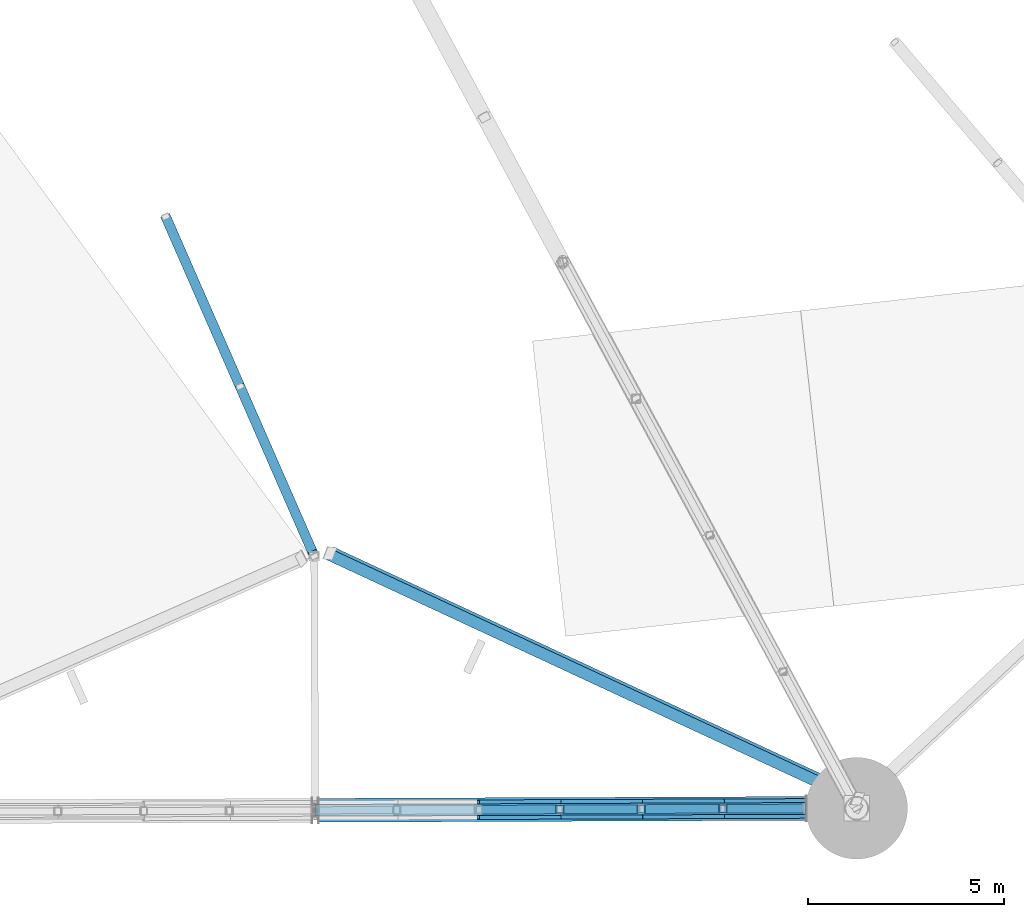
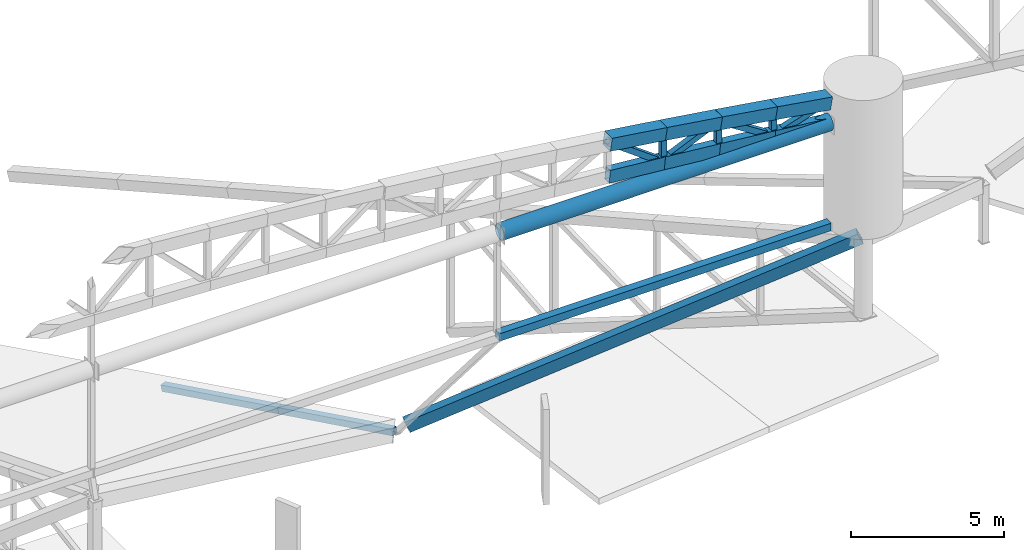
# One storey, part 41 of 188: 19 members, 1 beam.
"""IFC4 building model written with IfcOpenShell, lengths in metres."""

import ifcopenshell
import ifcopenshell.guid

model = None  # the IFC model being written
_history = None  # IfcOwnerHistory: only IFC2X3 demands one
_inside = {}  # id of a spatial element -> (the spatial element, [elements in it])
_under = {}  # id of a project, library or spatial element -> (it, [spatial elements below it])
_declared = {}  # id of a project -> (the project, [libraries it declares])
_typed = {}  # id of a type object -> (the type object, [elements of that type])
_made_of = {}  # id of a material, layer set ... -> (it, [elements and type objects made of it])


def new_model(schema):
    """Start an empty IFC model of exactly this schema.

    Asked for "IFC4X3", IfcOpenShell would pick the latest addendum, in which some entities
    have other attributes; the version numbers below select the first issue.
    IFC2X3 requires an IfcOwnerHistory on every rooted entity: one is made here for all.
    """
    global model, _history
    if schema == "IFC4X3":
        model = ifcopenshell.file(schema_version=(4, 3, 0, 0))
    else:
        model = ifcopenshell.file(schema=schema)
    _inside.clear()
    _under.clear()
    _declared.clear()
    _typed.clear()
    _made_of.clear()
    _history = None
    if model.schema == "IFC2X3":
        org = make("IfcOrganization", Name="unknown")
        user = make(
            "IfcPersonAndOrganization",
            ThePerson=make("IfcPerson", FamilyName="unknown"),
            TheOrganization=org,
        )
        app = make(
            "IfcApplication",
            ApplicationDeveloper=org,
            Version="unknown",
            ApplicationFullName="unknown",
            ApplicationIdentifier="unknown",
        )
        _history = make(
            "IfcOwnerHistory",
            OwningUser=user,
            OwningApplication=app,
            ChangeAction="ADDED",
            CreationDate=0,
        )
    return model


def make(cls, **values):
    """One entity of the class cls with the attributes given. An attribute that is None is left unset."""
    return model.create_entity(
        cls, **{name: value for name, value in values.items() if value is not None}
    )


def rooted(cls, **values):
    """An entity with a GlobalId (a new one), such as an element, a storey or a relation."""
    return make(cls, GlobalId=ifcopenshell.guid.new(), OwnerHistory=_history, **values)


def si_unit(unit_type, name, prefix=None):
    """IfcSIUnit, for example si_unit("LENGTHUNIT", "METRE", prefix="MILLI")."""
    return make("IfcSIUnit", UnitType=unit_type, Prefix=prefix, Name=name)


def assignment(units):
    """IfcUnitAssignment: the units of a project."""
    return None if units is None else make("IfcUnitAssignment", Units=units)


def point(xyz):
    """IfcCartesianPoint."""
    return None if xyz is None else make("IfcCartesianPoint", Coordinates=xyz)


def direction(xyz):
    """IfcDirection."""
    return None if xyz is None else make("IfcDirection", DirectionRatios=xyz)


def frame(location, z_axis=None, x_axis=None):
    """IfcAxis2Placement3D, a coordinate frame: its origin and axes. An axis left out is left unset."""
    return make(
        "IfcAxis2Placement3D",
        Location=point(location),
        Axis=direction(z_axis),
        RefDirection=direction(x_axis),
    )


def frame_2d(location, x_axis=None):
    """IfcAxis2Placement2D, a coordinate frame in the plane: its origin and x axis."""
    return make(
        "IfcAxis2Placement2D", Location=point(location), RefDirection=direction(x_axis)
    )


def origin():
    """The frame at (0, 0, 0) with its axes left unset."""
    return frame((0.0, 0.0, 0.0))


def origin_2d():
    """The frame at (0, 0) in the plane with its x axis left unset."""
    return frame_2d((0.0, 0.0))


def place(relative_to, where):
    """IfcLocalPlacement: puts the frame where relative to a parent placement (None: the world)."""
    return make(
        "IfcLocalPlacement", PlacementRelTo=relative_to, RelativePlacement=where
    )


def context(
    kind, dimensions, precision=None, world=None, true_north=None, identifier=None
):
    """IfcGeometricRepresentationContext, for example the 3D "Model" context."""
    return make(
        "IfcGeometricRepresentationContext",
        ContextIdentifier=identifier,
        ContextType=kind,
        CoordinateSpaceDimension=dimensions,
        Precision=precision,
        WorldCoordinateSystem=world,
        TrueNorth=true_north,
    )


def subcontext(parent, identifier, kind, view, scale=None):
    """IfcGeometricRepresentationSubContext, for example "Body" below "Model"."""
    return make(
        "IfcGeometricRepresentationSubContext",
        ContextIdentifier=identifier,
        ContextType=kind,
        ParentContext=parent,
        TargetScale=scale,
        TargetView=view,
    )


def project(units=None, contexts=None):
    """IfcProject with its units and contexts."""
    return rooted(
        "IfcProject",
        Name="project",
        RepresentationContexts=contexts,
        UnitsInContext=assignment(units),
    )


def spatial(cls, under=None, at=None, **own):
    """A site, building, storey or space (cls), placed at a placement, below another one or the project."""
    s = rooted(cls, ObjectPlacement=at, **own)
    if under is not None:
        _under.setdefault(under.id(), (under, []))[1].append(s)
    return s


def profile(cls, at=None, kind="AREA", **sizes):
    """A parametric profile (cls). Its sizes go by their IFC names, for example OverallWidth=200.0."""
    return make(cls, ProfileType=kind, Position=at, **sizes)


def hollow_rectangle(**sizes):
    """IfcRectangleHollowProfileDef."""
    return profile("IfcRectangleHollowProfileDef", **sizes)


def hollow_circle(**sizes):
    """IfcCircleHollowProfileDef."""
    return profile("IfcCircleHollowProfileDef", **sizes)


def extrude(swept, where, along, depth):
    """IfcExtrudedAreaSolid: the profile swept, set in the frame where, extruded along a direction by depth."""
    return make(
        "IfcExtrudedAreaSolid",
        SweptArea=swept,
        Position=where,
        ExtrudedDirection=direction(along),
        Depth=depth,
    )


def shape(context_of_items, identifier, shape_type, items):
    """IfcShapeRepresentation: the items that make up one representation, for example the "Body"."""
    return make(
        "IfcShapeRepresentation",
        ContextOfItems=context_of_items,
        RepresentationIdentifier=identifier,
        RepresentationType=shape_type,
        Items=items,
    )


def material(Name=None, Category=None):
    """IfcMaterial."""
    return make("IfcMaterial", Name=Name, Category=Category)


def material_profile(
    of_material, cross_section, Name=None, Category=None, Priority=None
):
    """IfcMaterialProfile: a cross section and its material."""
    return make(
        "IfcMaterialProfile",
        Name=Name,
        Material=of_material,
        Profile=cross_section,
        Priority=Priority,
        Category=Category,
    )


def profile_set(profiles, Name=None, composite=None):
    """IfcMaterialProfileSet."""
    return make(
        "IfcMaterialProfileSet",
        Name=Name,
        MaterialProfiles=profiles,
        CompositeProfile=composite,
    )


def made_of(thing, what):
    """Note that an element or type object is made of a material, layer set ...; save() writes the relation."""
    if what is not None:
        _made_of.setdefault(what.id(), (what, []))[1].append(thing)
    return thing


def type_object(cls, material=None, **own):
    """A type object (cls), such as IfcWallType, which elements share."""
    return made_of(rooted(cls, **own), material)


def element(
    cls,
    number,
    at=None,
    inside=None,
    cuts=None,
    type_object=None,
    material=None,
    context=None,
    identifier="Body",
    shape_type=None,
    held_by="IfcProductDefinitionShape",
    body=None,
    shapes=None,
    **own,
):
    """One element of the class cls, such as IfcWall. Its Tag is "e" and its number.

    at: its placement. inside: the storey or other place that contains it. cuts: it is an
    opening in that element (IfcRelVoidsElement). A single representation is given by context,
    identifier, shape_type and body (its items); several are given by shapes. held_by: the class
    of the entity that holds the representations. save() writes the other relations.
    """
    e = rooted(cls, Tag="e%d" % number, ObjectPlacement=at, **own)
    if body is not None:
        shapes = [shape(context, identifier, shape_type, body)]
    if shapes is not None:
        e.Representation = make(held_by, Representations=shapes)
    if inside is not None:
        _inside.setdefault(inside.id(), (inside, []))[1].append(e)
    if cuts is not None:
        rooted(
            "IfcRelVoidsElement", RelatingBuildingElement=cuts, RelatedOpeningElement=e
        )
    if type_object is not None:
        _typed.setdefault(type_object.id(), (type_object, []))[1].append(e)
    return made_of(e, material)


def aggregate(whole, parts):
    """IfcRelAggregates: a whole, such as a stair, and the parts it consists of."""
    return rooted("IfcRelAggregates", RelatingObject=whole, RelatedObjects=parts)


def save(model, path):
    """Write the relations noted so far, then the file.

    IfcRelAggregates (storeys below a building ...), IfcRelContainedInSpatialStructure (elements
    in a storey), IfcRelDefinesByType, IfcRelAssociatesMaterial and IfcRelDeclares: one each for
    every whole, place, type object, material and project.
    """
    for whole, parts in _under.values():
        aggregate(whole, parts)
    for where, things in _inside.values():
        rooted(
            "IfcRelContainedInSpatialStructure",
            RelatedElements=things,
            RelatingStructure=where,
        )
    for kind, things in _typed.values():
        rooted("IfcRelDefinesByType", RelatedObjects=things, RelatingType=kind)
    for what, things in _made_of.values():
        rooted("IfcRelAssociatesMaterial", RelatedObjects=things, RelatingMaterial=what)
    for by, libraries in _declared.values():
        rooted("IfcRelDeclares", RelatingContext=by, RelatedDefinitions=libraries)
    model.write(path)


model = new_model("IFC4")

# Units and contexts
model_context = context("Model", 3, precision=1e-05, world=origin(), true_north=direction((0.0, 1.0)))
body_context = subcontext(model_context, "Body", "Model", "MODEL_VIEW")
ifc_project = project(units=[si_unit("LENGTHUNIT", "METRE"), si_unit("AREAUNIT", "SQUARE_METRE"), si_unit("VOLUMEUNIT", "CUBIC_METRE"), si_unit("PLANEANGLEUNIT", "RADIAN"), si_unit("MASSUNIT", "GRAM", prefix="KILO")], contexts=[model_context])

# Site, building, storey
site_placement = place(None, origin())
site = spatial("IfcSite", under=ifc_project, at=site_placement, CompositionType="ELEMENT")
building_placement = place(site_placement, origin())
building = spatial("IfcBuilding", under=site, at=building_placement, Name="Meseta Stadium", CompositionType="ELEMENT")
storey_placement = place(building_placement, frame((0.0, 0.0, 30.0)))
storey = spatial("IfcBuildingStorey", under=building, at=storey_placement, Name="ROOF", CompositionType="ELEMENT", Elevation=30.0)

# Members
ifc_material_1 = material(Name="Steel S355", Category="steel")
ifc_material_profile_1 = material_profile(ifc_material_1, hollow_circle(Radius=0.304931640625, WallThickness=0.02490234375, at=origin_2d()), Name="CHS 610x25")
ifc_profile_set_1 = profile_set([ifc_material_profile_1], Name="Steel S355")
member_type_1 = type_object("IfcMemberType", Name="CHS 610x25 arch tie", PredefinedType="STRUT", material=ifc_profile_set_1)
member_1_placement = place(storey_placement, frame((38.4482421875, -105.1044921875, 15.550048828125), z_axis=(0.999992619282, 0.003842054208, 0.0), x_axis=(-0.003842054208, 0.999992619282, 0.0)))
element("IfcMember", 1, at=member_1_placement, inside=storey, type_object=member_type_1, Name="GABLE ARCH GA-S tie 06", PredefinedType="STRUT", context=body_context, shape_type="SweptSolid", body=[
    extrude(hollow_circle(Radius=0.304931640625, WallThickness=0.02490234375, at=origin_2d()), origin(), (0.0, 0.0, 1.0), 12.45458984375),
])
ifc_material_2 = material(Name="Steel S355", Category="steel")
ifc_material_profile_2 = material_profile(ifc_material_2, hollow_rectangle(XDim=0.300048828125, YDim=0.5, WallThickness=0.01611328125, at=origin_2d()), Name="RHS 500x300x16")
ifc_profile_set_2 = profile_set([ifc_material_profile_2], Name="Steel S355")
member_type_2 = type_object("IfcMemberType", Name="RHS 500x300x16 arch bottom chord", PredefinedType="CHORD", material=ifc_profile_set_2)
member_2_placement = place(storey_placement, frame((42.526611328125, -105.0888671875, 16.394775390625), z_axis=(0.995801248961, 0.003849747096, -0.091460658293), x_axis=(-0.003865950492, 0.999992527185, 0.0)))
element("IfcMember", 2, at=member_2_placement, inside=storey, type_object=member_type_2, Name="GABLE ARCH GA-S bottom chord", PredefinedType="CHORD", context=body_context, shape_type="SweptSolid", body=[
    extrude(hollow_rectangle(XDim=0.300048828125, YDim=0.5, WallThickness=0.01611328125, at=origin_2d()), origin(), (0.0, 0.0, 1.0), 2.0927734375),
])
member_3_placement = place(storey_placement, frame((44.610595703125, -105.080810546875, 16.203369140625), z_axis=(0.995219604708, 0.003847498472, -0.097586552149), x_axis=(-0.003865950492, 0.999992527185, 0.0)))
element("IfcMember", 3, at=member_3_placement, inside=storey, type_object=member_type_2, Name="GABLE ARCH GA-S bottom chord", PredefinedType="CHORD", context=body_context, shape_type="SweptSolid", body=[
    extrude(hollow_rectangle(XDim=0.300048828125, YDim=0.5, WallThickness=0.01611328125, at=origin_2d()), origin(), (0.0, 0.0, 1.0), 2.093994140625),
])
member_4_placement = place(storey_placement, frame((46.694580078125, -105.07275390625, 15.9990234375), z_axis=(0.994578682622, 0.003728068156, -0.103919899836), x_axis=(-0.003748363031, 0.999992974863, 0.0)))
element("IfcMember", 4, at=member_4_placement, inside=storey, type_object=member_type_2, Name="GABLE ARCH GA-S bottom chord", PredefinedType="CHORD", context=body_context, shape_type="SweptSolid", body=[
    extrude(hollow_rectangle(XDim=0.300048828125, YDim=0.5, WallThickness=0.01611328125, at=origin_2d()), origin(), (0.0, 0.0, 1.0), 2.095703125),
])
member_5_placement = place(storey_placement, frame((48.77880859375, -105.06494140625, 15.78125), z_axis=(0.993894843294, 0.003842376971, -0.110264575515), x_axis=(-0.003865950492, 0.999992527185, 0.0)))
element("IfcMember", 5, at=member_5_placement, inside=storey, type_object=member_type_2, Name="GABLE ARCH GA-S bottom chord", PredefinedType="CHORD", context=body_context, shape_type="SweptSolid", body=[
    extrude(hollow_rectangle(XDim=0.300048828125, YDim=0.5, WallThickness=0.01611328125, at=origin_2d()), origin(), (0.0, 0.0, 1.0), 2.0966796875),
])

# Beam
ifc_material_3 = material(Name="Steel S355", Category="steel")
ifc_material_profile_3 = material_profile(ifc_material_3, hollow_rectangle(XDim=0.300048828125, YDim=0.5, WallThickness=0.01611328125, at=origin_2d()), Name="RHS 500x300x16")
ifc_profile_set_3 = profile_set([ifc_material_profile_3], Name="Steel S355")
beam_type = type_object("IfcBeamType", Name="RHS 500x300x16 rim ring beam", PredefinedType="BEAM", material=ifc_profile_set_3)
beam_placement = place(storey_placement, frame((38.73828125, -98.535400390625, 3.780029296875), z_axis=(0.828530978869, -0.38540094593, 0.406205031888), x_axis=(0.362948531728, 0.922047672466, 0.134523057568)))
element("IfcBeam", 6, at=beam_placement, inside=storey, type_object=beam_type, Name="RIM RING BEAM 50", PredefinedType="BEAM", context=body_context, shape_type="SweptSolid", body=[
    extrude(hollow_rectangle(XDim=0.300048828125, YDim=0.5, WallThickness=0.01611328125, at=origin_2d()), origin(), (0.0, 0.0, 1.0), 16.26513671875),
])

# Members
ifc_material_4 = material(Name="Steel S355", Category="steel")
ifc_material_profile_4 = material_profile(ifc_material_4, hollow_rectangle(XDim=0.199951171875, YDim=0.199951171875, WallThickness=0.008056640625, at=origin_2d()), Name="SHS 200x200x8")
ifc_profile_set_4 = profile_set([ifc_material_profile_4], Name="Steel S355")
member_type_3 = type_object("IfcMemberType", Name="SHS 200x200x8 arch vertical", PredefinedType="POST", material=ifc_profile_set_4)
member_6_placement = place(storey_placement, frame((44.610595703125, -105.080810546875, 16.203369140625), z_axis=(0.0, 0.0, 1.0), x_axis=(1.0, 0.0, 0.0)))
element("IfcMember", 7, at=member_6_placement, inside=storey, type_object=member_type_3, Name="GABLE ARCH GA-S vertical", PredefinedType="POST", context=body_context, shape_type="SweptSolid", body=[
    extrude(hollow_rectangle(XDim=0.199951171875, YDim=0.199951171875, WallThickness=0.008056640625, at=origin_2d()), origin(), (0.0, 0.0, 1.0), 1.232666015625),
])
member_7_placement = place(storey_placement, frame((46.694580078125, -105.07275390625, 15.9990234375), z_axis=(0.0, 0.0, 1.0), x_axis=(1.0, 0.0, 0.0)))
element("IfcMember", 8, at=member_7_placement, inside=storey, type_object=member_type_3, Name="GABLE ARCH GA-S vertical", PredefinedType="POST", context=body_context, shape_type="SweptSolid", body=[
    extrude(hollow_rectangle(XDim=0.199951171875, YDim=0.199951171875, WallThickness=0.008056640625, at=origin_2d()), origin(), (0.0, 0.0, 1.0), 1.122802734375),
])
member_8_placement = place(storey_placement, frame((48.77880859375, -105.06494140625, 15.78125), z_axis=(0.0, 0.0, 1.0), x_axis=(1.0, 0.0, 0.0)))
element("IfcMember", 9, at=member_8_placement, inside=storey, type_object=member_type_3, Name="GABLE ARCH GA-S vertical", PredefinedType="POST", context=body_context, shape_type="SweptSolid", body=[
    extrude(hollow_rectangle(XDim=0.199951171875, YDim=0.199951171875, WallThickness=0.008056640625, at=origin_2d()), origin(), (0.0, 0.0, 1.0), 1.01171875),
])
ifc_material_5 = material(Name="Steel S355", Category="steel")
ifc_material_profile_5 = material_profile(ifc_material_5, hollow_rectangle(XDim=0.219970703125, YDim=0.219970703125, WallThickness=0.008056640625, at=origin_2d()), Name="SHS 220x220x8")
ifc_profile_set_5 = profile_set([ifc_material_profile_5], Name="Steel S355")
member_type_4 = type_object("IfcMemberType", Name="SHS 220x220x8 arch diagonal", PredefinedType="BRACE", material=ifc_profile_set_5)
member_9_placement = place(storey_placement, frame((42.526611328125, -105.0888671875, 17.735107421875), z_axis=(0.805758392327, 0.003115045331, -0.592236194173), x_axis=(-0.003865950492, 0.999992527185, 0.0)))
element("IfcMember", 10, at=member_9_placement, inside=storey, type_object=member_type_4, Name="GABLE ARCH GA-S diagonal", PredefinedType="BRACE", context=body_context, shape_type="SweptSolid", body=[
    extrude(hollow_rectangle(XDim=0.219970703125, YDim=0.219970703125, WallThickness=0.008056640625, at=origin_2d()), origin(), (0.0, 0.0, 1.0), 2.58642578125),
])
member_10_placement = place(storey_placement, frame((44.610595703125, -105.080810546875, 16.203369140625), z_axis=(0.915065708637, 0.003537625162, 0.403289268497), x_axis=(-0.003865950492, 0.999992527185, 0.0)))
element("IfcMember", 11, at=member_10_placement, inside=storey, type_object=member_type_4, Name="GABLE ARCH GA-S diagonal", PredefinedType="BRACE", context=body_context, shape_type="SweptSolid", body=[
    extrude(hollow_rectangle(XDim=0.219970703125, YDim=0.219970703125, WallThickness=0.008056640625, at=origin_2d()), origin(), (0.0, 0.0, 1.0), 2.27734375),
])
member_11_placement = place(storey_placement, frame((46.694580078125, -105.07275390625, 17.121826171875), z_axis=(0.841043032541, 0.003152556758, -0.540959036158), x_axis=(-0.003748363031, 0.999992974863, 0.0)))
element("IfcMember", 12, at=member_11_placement, inside=storey, type_object=member_type_4, Name="GABLE ARCH GA-S diagonal", PredefinedType="BRACE", context=body_context, shape_type="SweptSolid", body=[
    extrude(hollow_rectangle(XDim=0.219970703125, YDim=0.219970703125, WallThickness=0.008056640625, at=origin_2d()), origin(), (0.0, 0.0, 1.0), 2.47802734375),
])
member_12_placement = place(storey_placement, frame((48.77880859375, -105.06494140625, 15.78125), z_axis=(0.952175193178, 0.003681089664, 0.305530442141), x_axis=(-0.003865950492, 0.999992527185, 0.0)))
element("IfcMember", 13, at=member_12_placement, inside=storey, type_object=member_type_4, Name="GABLE ARCH GA-S diagonal", PredefinedType="BRACE", context=body_context, shape_type="SweptSolid", body=[
    extrude(hollow_rectangle(XDim=0.219970703125, YDim=0.219970703125, WallThickness=0.008056640625, at=origin_2d()), origin(), (0.0, 0.0, 1.0), 2.188720703125),
])
ifc_material_6 = material(Name="Steel S355", Category="steel")
ifc_material_profile_6 = material_profile(ifc_material_6, hollow_rectangle(XDim=0.25, YDim=0.25, WallThickness=0.010009765625, at=origin_2d()), Name="SHS 250x250x10")
ifc_profile_set_6 = profile_set([ifc_material_profile_6], Name="Steel S355")
member_type_5 = type_object("IfcMemberType", Name="SHS 250x250x10 top chord", PredefinedType="CHORD", material=ifc_profile_set_6)
member_13_placement = place(storey_placement, frame((34.53076171875, -89.911865234375, 1.538330078125), z_axis=(0.391141662813, -0.893629122552, 0.220079964875), x_axis=(0.916089968182, 0.400972779869, 0.0)))
element("IfcMember", 14, at=member_13_placement, inside=storey, type_object=member_type_5, Name="ROOF TRUSS RT-49 top chord", PredefinedType="CHORD", context=body_context, shape_type="SweptSolid", body=[
    extrude(hollow_rectangle(XDim=0.25, YDim=0.25, WallThickness=0.010009765625, at=origin_2d()), origin(), (0.0, 0.0, 1.0), 4.861083984375),
])
member_14_placement = place(storey_placement, frame((36.43212890625, -94.255859375, 2.608154296875), z_axis=(0.391096186759, -0.893647849682, 0.220084741544), x_axis=(0.9161101781, 0.400926603733, 0.0)))
element("IfcMember", 15, at=member_14_placement, inside=storey, type_object=member_type_5, Name="ROOF TRUSS RT-49 top chord", PredefinedType="CHORD", context=body_context, shape_type="SweptSolid", body=[
    extrude(hollow_rectangle(XDim=0.25, YDim=0.25, WallThickness=0.010009765625, at=origin_2d()), origin(), (0.0, 0.0, 1.0), 4.751220703125),
])
ifc_material_7 = material(Name="Steel S355", Category="steel")
ifc_material_profile_7 = material_profile(ifc_material_7, hollow_rectangle(XDim=0.300048828125, YDim=0.300048828125, WallThickness=0.010009765625, at=origin_2d()), Name="SHS 300x300x10")
ifc_profile_set_7 = profile_set([ifc_material_profile_7], Name="Steel S355")
member_type_6 = type_object("IfcMemberType", Name="SHS 300x300x10 arch sill", PredefinedType="STRUT", material=ifc_profile_set_7)
member_15_placement = place(storey_placement, frame((38.3583984375, -105.10498046875, 11.449951171875), z_axis=(0.999992575392, 0.003853460938, 0.0), x_axis=(-0.003853460938, 0.999992575392, 0.0)))
element("IfcMember", 16, at=member_15_placement, inside=storey, type_object=member_type_6, Name="GABLE ARCH GA-S sill beam 06", PredefinedType="STRUT", context=body_context, shape_type="SweptSolid", body=[
    extrude(hollow_rectangle(XDim=0.300048828125, YDim=0.300048828125, WallThickness=0.010009765625, at=origin_2d()), origin(), (0.0, 0.0, 1.0), 12.54443359375),
])
ifc_material_8 = material(Name="Steel S355", Category="steel")
ifc_material_profile_8 = material_profile(ifc_material_8, hollow_rectangle(XDim=0.5, YDim=0.5, WallThickness=0.01611328125, at=origin_2d()), Name="SHS 500x500x16")
ifc_profile_set_8 = profile_set([ifc_material_profile_8], Name="Steel S355")
member_type_7 = type_object("IfcMemberType", Name="SHS 500x500x16 arch top chord", PredefinedType="CHORD", material=ifc_profile_set_8)
member_16_placement = place(storey_placement, frame((42.526611328125, -105.0888671875, 17.735107421875), z_axis=(0.989851592399, 0.003826745847, -0.142053444317), x_axis=(-0.003865950492, 0.999992527185, 0.0)))
element("IfcMember", 17, at=member_16_placement, inside=storey, type_object=member_type_7, Name="GABLE ARCH GA-S top chord", PredefinedType="CHORD", context=body_context, shape_type="SweptSolid", body=[
    extrude(hollow_rectangle(XDim=0.5, YDim=0.5, WallThickness=0.01611328125, at=origin_2d()), origin(), (0.0, 0.0, 1.0), 2.10546875),
])
member_17_placement = place(storey_placement, frame((44.610595703125, -105.080810546875, 17.43603515625), z_axis=(0.98881668554, 0.003822744918, -0.149087051815), x_axis=(-0.003865950492, 0.999992527185, 0.0)))
element("IfcMember", 18, at=member_17_placement, inside=storey, type_object=member_type_7, Name="GABLE ARCH GA-S top chord", PredefinedType="CHORD", context=body_context, shape_type="SweptSolid", body=[
    extrude(hollow_rectangle(XDim=0.5, YDim=0.5, WallThickness=0.01611328125, at=origin_2d()), origin(), (0.0, 0.0, 1.0), 2.107666015625),
])
member_18_placement = place(storey_placement, frame((46.694580078125, -105.07275390625, 17.121826171875), z_axis=(0.987773075593, 0.003702558091, -0.155854554624), x_axis=(-0.003748363031, 0.999992974863, 0.0)))
element("IfcMember", 19, at=member_18_placement, inside=storey, type_object=member_type_7, Name="GABLE ARCH GA-S top chord", PredefinedType="CHORD", context=body_context, shape_type="SweptSolid", body=[
    extrude(hollow_rectangle(XDim=0.5, YDim=0.5, WallThickness=0.01611328125, at=origin_2d()), origin(), (0.0, 0.0, 1.0), 2.110107421875),
])
member_19_placement = place(storey_placement, frame((48.77880859375, -105.06494140625, 16.79296875), z_axis=(0.98671590888, 0.003814623359, -0.162410479379), x_axis=(-0.003865950492, 0.999992527185, 0.0)))
element("IfcMember", 20, at=member_19_placement, inside=storey, type_object=member_type_7, Name="GABLE ARCH GA-S top chord", PredefinedType="CHORD", context=body_context, shape_type="SweptSolid", body=[
    extrude(hollow_rectangle(XDim=0.5, YDim=0.5, WallThickness=0.01611328125, at=origin_2d()), origin(), (0.0, 0.0, 1.0), 2.112060546875),
])

save(model, "model.ifc")
